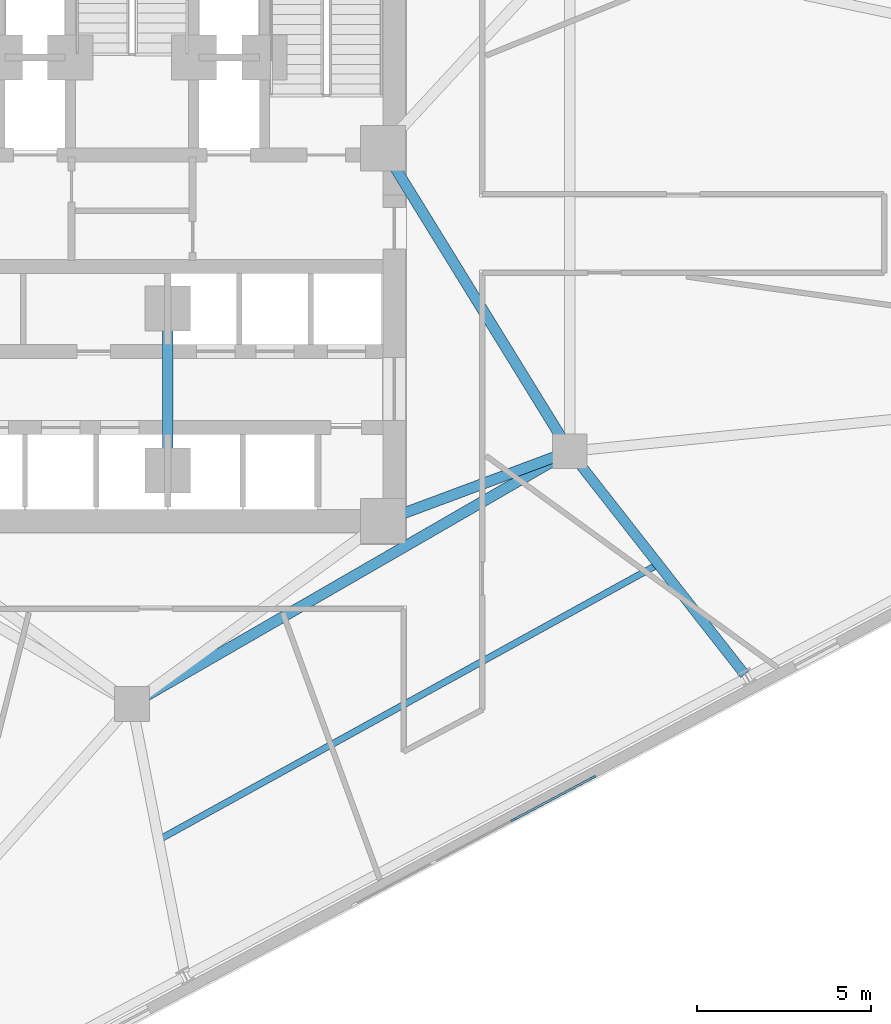
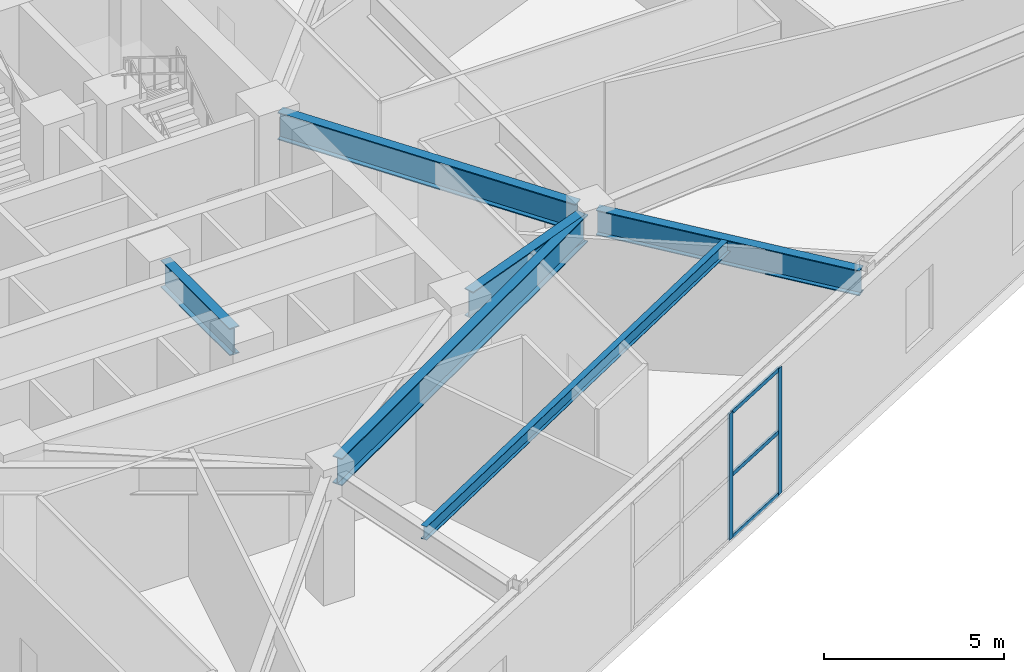
# One storey, part 6 of 22: 6 beams, 5 members, 1 element without a shape of its own.
"""IFC4 building model written with IfcOpenShell, lengths in metres."""

from ifc_helpers import new_model, si_unit, direction, frame, origin, origin_2d, place, context, subcontext, project, spatial, rectangle, i_section, extrude, material, layer, layer_set, material_profile, profile_set, type_object, element, aggregate, save


model = new_model("IFC4")

# Units and contexts
model_context = context("Model", 3, precision=1e-05, world=origin(), true_north=direction((0.0, 1.0)))
body_context = subcontext(model_context, "Body", "Model", "MODEL_VIEW")
ifc_project = project(units=[si_unit("LENGTHUNIT", "METRE"), si_unit("AREAUNIT", "SQUARE_METRE"), si_unit("VOLUMEUNIT", "CUBIC_METRE"), si_unit("PLANEANGLEUNIT", "RADIAN"), si_unit("MASSUNIT", "GRAM", prefix="KILO")], contexts=[model_context])

# Site, building, storey
site_placement = place(None, origin())
site = spatial("IfcSite", under=ifc_project, at=site_placement, CompositionType="ELEMENT")
building_placement = place(site_placement, origin())
building = spatial("IfcBuilding", under=site, at=building_placement, Name="Apsidion Concourse Tower", CompositionType="ELEMENT")
storey_placement = place(building_placement, frame((0.0, 0.0, 160.89990234375)))
storey = spatial("IfcBuildingStorey", under=building, at=storey_placement, Name="L37", CompositionType="ELEMENT", Elevation=160.89990234375)

# Beams
ifc_material_1 = material(Name="Structural steel ASTM A992 Grade 50", Category="steel")
ifc_material_profile_1 = material_profile(ifc_material_1, i_section(OverallWidth=0.19091796875, OverallDepth=0.45703125, WebThickness=0.009033203125, FlangeThickness=0.014404296875, at=origin_2d()), Name="W18X50")
ifc_profile_set_1 = profile_set([ifc_material_profile_1], Name="Structural steel ASTM A992 Grade 50")
beam_type_1 = type_object("IfcBeamType", Name="BM-FL-W18", PredefinedType="BEAM", material=ifc_profile_set_1)
beam_1_placement = place(storey_placement, frame((0.760009765625, -18.40087890625, 4.12158203125), z_axis=(0.87560616621, 0.483025715355, 0.0), x_axis=(-0.483025715355, 0.87560616621, 0.0)))
element("IfcBeam", 1, at=beam_1_placement, inside=storey, type_object=beam_type_1, Name="L37 Secondary Floor Beam SEC-F2", PredefinedType="BEAM", context=body_context, shape_type="SweptSolid", body=[
    extrude(i_section(OverallWidth=0.19091796875, OverallDepth=0.45703125, WebThickness=0.009033203125, FlangeThickness=0.014404296875, at=origin_2d()), origin(), (0.0, 0.0, 1.0), 16.376708984375),
])
ifc_material_profile_2 = material_profile(ifc_material_1, i_section(OverallWidth=0.2919921875, OverallDepth=0.85888671875, WebThickness=0.01708984375, FlangeThickness=0.031005859375, at=origin_2d()), Name="W33X169")
ifc_profile_set_2 = profile_set([ifc_material_profile_2], Name="Structural steel ASTM A992 Grade 50")
beam_type_2 = type_object("IfcBeamType", Name="BM-G-W33", PredefinedType="USERDEFINED", material=ifc_profile_set_2)
beam_2_placement = place(storey_placement, frame((12.69580078125, -7.423095703125, 3.920654296875), z_axis=(0.616838796002, -0.787089511902, 0.0), x_axis=(0.787089511902, 0.616838796002, 0.0)))
element("IfcBeam", 2, at=beam_2_placement, inside=storey, type_object=beam_type_2, Name="L37 Radial Floor Girder RAD-07", ObjectType="GIRDER", PredefinedType="USERDEFINED", context=body_context, shape_type="SweptSolid", body=[
    extrude(i_section(OverallWidth=0.2919921875, OverallDepth=0.85888671875, WebThickness=0.01708984375, FlangeThickness=0.031005859375, at=origin_2d()), origin(), (0.0, 0.0, 1.0), 7.914306640625),
])
ifc_material_profile_3 = material_profile(ifc_material_1, i_section(OverallWidth=0.31005859375, OverallDepth=0.931884765625, WebThickness=0.02099609375, FlangeThickness=0.034423828125, at=origin_2d()), Name="W36X210")
ifc_profile_set_3 = profile_set([ifc_material_profile_3], Name="Structural steel ASTM A992 Grade 50")
beam_type_3 = type_object("IfcBeamType", Name="BM-G-W36", PredefinedType="USERDEFINED", material=ifc_profile_set_3)
beam_3_placement = place(storey_placement, frame((12.185302734375, -7.389892578125, 3.884033203125), z_axis=(-0.936913021145, -0.349562570664, 0.0), x_axis=(0.349562570664, -0.936913021145, 0.0)))
element("IfcBeam", 3, at=beam_3_placement, inside=storey, type_object=beam_type_3, Name="L37 Core Coupling Girder IC2-SC2", ObjectType="GIRDER", PredefinedType="USERDEFINED", context=body_context, shape_type="SweptSolid", body=[
    extrude(i_section(OverallWidth=0.31005859375, OverallDepth=0.931884765625, WebThickness=0.02099609375, FlangeThickness=0.034423828125, at=origin_2d()), origin(), (0.0, 0.0, 1.0), 4.921142578125),
])
beam_4_placement = place(storey_placement, frame((12.35009765625, -6.909423828125, 3.884033203125), z_axis=(-0.524524009763, 0.851395656074, 0.0), x_axis=(-0.851395656074, -0.524524009763, 0.0)))
element("IfcBeam", 4, at=beam_4_placement, inside=storey, type_object=beam_type_3, Name="L37 Core Coupling Girder IC2-SC3", ObjectType="GIRDER", PredefinedType="USERDEFINED", context=body_context, shape_type="SweptSolid", body=[
    extrude(i_section(OverallWidth=0.31005859375, OverallDepth=0.931884765625, WebThickness=0.02099609375, FlangeThickness=0.034423828125, at=origin_2d()), origin(), (0.0, 0.0, 1.0), 9.41845703125),
])
beam_5_placement = place(storey_placement, frame((12.213623046875, -7.449951171875, 3.884033203125), z_axis=(-0.866070471464, -0.499921932364, 0.0), x_axis=(0.499921932364, -0.866070471464, 0.0)))
element("IfcBeam", 5, at=beam_5_placement, inside=storey, type_object=beam_type_3, Name="L37 Core Coupling Girder IC2-IC6", ObjectType="GIRDER", PredefinedType="USERDEFINED", context=body_context, shape_type="SweptSolid", body=[
    extrude(i_section(OverallWidth=0.31005859375, OverallDepth=0.931884765625, WebThickness=0.02099609375, FlangeThickness=0.034423828125, at=origin_2d()), origin(), (0.0, 0.0, 1.0), 13.702392578125),
])
beam_6_placement = place(storey_placement, frame((1.02490234375, -3.550048828125, 3.884033203125), z_axis=(0.0, -1.0, 0.0), x_axis=(1.0, 0.0, 0.0)))
element("IfcBeam", 6, at=beam_6_placement, inside=storey, type_object=beam_type_3, Name="L37 Core Coupling Girder CC5-CC6", ObjectType="GIRDER", PredefinedType="USERDEFINED", context=body_context, shape_type="SweptSolid", body=[
    extrude(i_section(OverallWidth=0.31005859375, OverallDepth=0.931884765625, WebThickness=0.02099609375, FlangeThickness=0.034423828125, at=origin_2d()), origin(), (0.0, 0.0, 1.0), 3.849853515625),
])

# Curtain wall, members
ifc_material_2 = material(Name="Insulated laminated low-E glass", Category="glass")
ifc_layer = layer(ifc_material_2, 0.2099609375)
ifc_layer_set = layer_set([ifc_layer], Name="Insulated laminated low-E glass")
curtain_wall_type = type_object("IfcCurtainWallType", Name="CW-SYS-03", PredefinedType="NOTDEFINED", material=ifc_layer_set)
curtain_wall_placement = place(storey_placement, origin())
curtain_wall = element("IfcCurtainWall", 7, at=curtain_wall_placement, inside=storey, type_object=curtain_wall_type, Name="L37 Sky Lobby Curtain Wall 5", PredefinedType="NOTDEFINED")
ifc_material_3 = material(Name="Anodised aluminium EN AW-6063 T6", Category="aluminium")
ifc_material_profile_4 = material_profile(ifc_material_3, rectangle(XDim=0.06494140625, YDim=0.179931640625, at=origin_2d()), Name="ALU MULLION 65x180")
ifc_profile_set_4 = profile_set([ifc_material_profile_4], Name="Anodised aluminium EN AW-6063 T6")
member_type_1 = type_object("IfcMemberType", Name="CWM-65X180", PredefinedType="MULLION", material=ifc_profile_set_4)
member_1_placement = place(storey_placement, frame((13.22314453125, -16.611572265625, 0.0), z_axis=(0.0, 0.0, 1.0), x_axis=(0.46947190693, -0.882947409874, 0.0)))
member_1 = element("IfcMember", 8, at=member_1_placement, type_object=member_type_1, Name="CW-03 mullion 1", PredefinedType="MULLION", context=body_context, shape_type="SweptSolid", body=[
    extrude(rectangle(XDim=0.06494140625, YDim=0.179931640625, at=origin_2d()), origin(), (0.0, 0.0, 1.0), 4.300048828125),
])
member_2_placement = place(storey_placement, frame((10.95068359375, -17.81982421875, 0.0), z_axis=(0.0, 0.0, 1.0), x_axis=(0.46947190693, -0.882947409874, 0.0)))
member_2 = element("IfcMember", 9, at=member_2_placement, type_object=member_type_1, Name="CW-03 mullion 2", PredefinedType="MULLION", context=body_context, shape_type="SweptSolid", body=[
    extrude(rectangle(XDim=0.06494140625, YDim=0.179931640625, at=origin_2d()), origin(), (0.0, 0.0, 1.0), 4.300048828125),
])
ifc_material_profile_5 = material_profile(ifc_material_3, rectangle(XDim=0.06494140625, YDim=0.139892578125, at=origin_2d()), Name="ALU TRANSOM 65x140")
ifc_profile_set_5 = profile_set([ifc_material_profile_5], Name="Anodised aluminium EN AW-6063 T6")
member_type_2 = type_object("IfcMemberType", Name="CWT-65X140", PredefinedType="USERDEFINED", material=ifc_profile_set_5)
member_3_placement = place(storey_placement, frame((13.1943359375, -16.626708984375, 0.03271484375), z_axis=(-0.882934197132, -0.469496755618, 0.0), x_axis=(0.469496755618, -0.882934197132, 0.0)))
member_3 = element("IfcMember", 10, at=member_3_placement, type_object=member_type_2, Name="CW-03 transom 1.1", ObjectType="TRANSOM", PredefinedType="USERDEFINED", context=body_context, shape_type="SweptSolid", body=[
    extrude(rectangle(XDim=0.06494140625, YDim=0.139892578125, at=origin_2d()), origin(), (0.0, 0.0, 1.0), 2.508544921875),
])
member_4_placement = place(storey_placement, frame((13.1943359375, -16.626708984375, 2.150146484375), z_axis=(-0.882934197132, -0.469496755618, 0.0), x_axis=(0.469496755618, -0.882934197132, 0.0)))
member_4 = element("IfcMember", 11, at=member_4_placement, type_object=member_type_2, Name="CW-03 transom 1.2", ObjectType="TRANSOM", PredefinedType="USERDEFINED", context=body_context, shape_type="SweptSolid", body=[
    extrude(rectangle(XDim=0.06494140625, YDim=0.139892578125, at=origin_2d()), origin(), (0.0, 0.0, 1.0), 2.508544921875),
])
member_5_placement = place(storey_placement, frame((13.1943359375, -16.626708984375, 4.267578125), z_axis=(-0.882934197132, -0.469496755618, 0.0), x_axis=(0.469496755618, -0.882934197132, 0.0)))
member_5 = element("IfcMember", 12, at=member_5_placement, type_object=member_type_2, Name="CW-03 transom 1.3", ObjectType="TRANSOM", PredefinedType="USERDEFINED", context=body_context, shape_type="SweptSolid", body=[
    extrude(rectangle(XDim=0.06494140625, YDim=0.139892578125, at=origin_2d()), origin(), (0.0, 0.0, 1.0), 2.508544921875),
])
aggregate(curtain_wall, [member_1, member_2, member_3, member_4, member_5])

save(model, "model.ifc")
